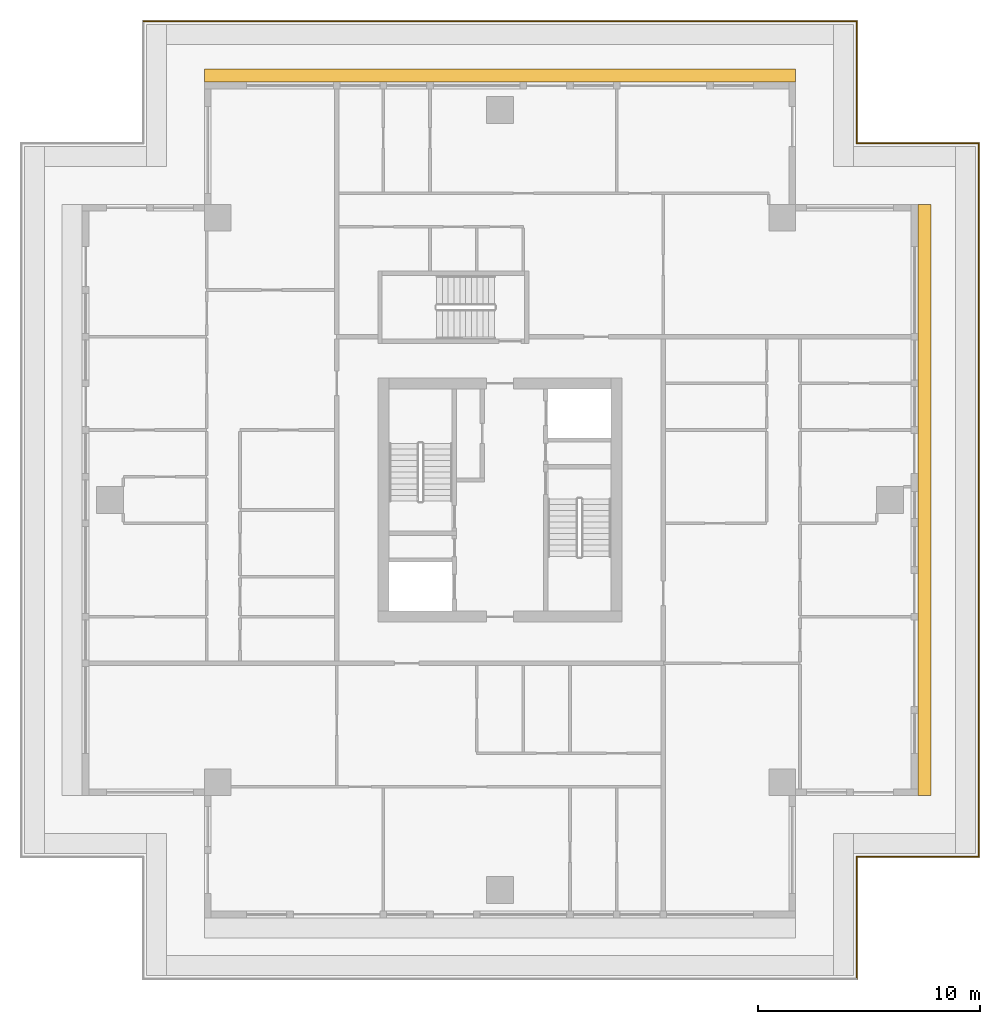
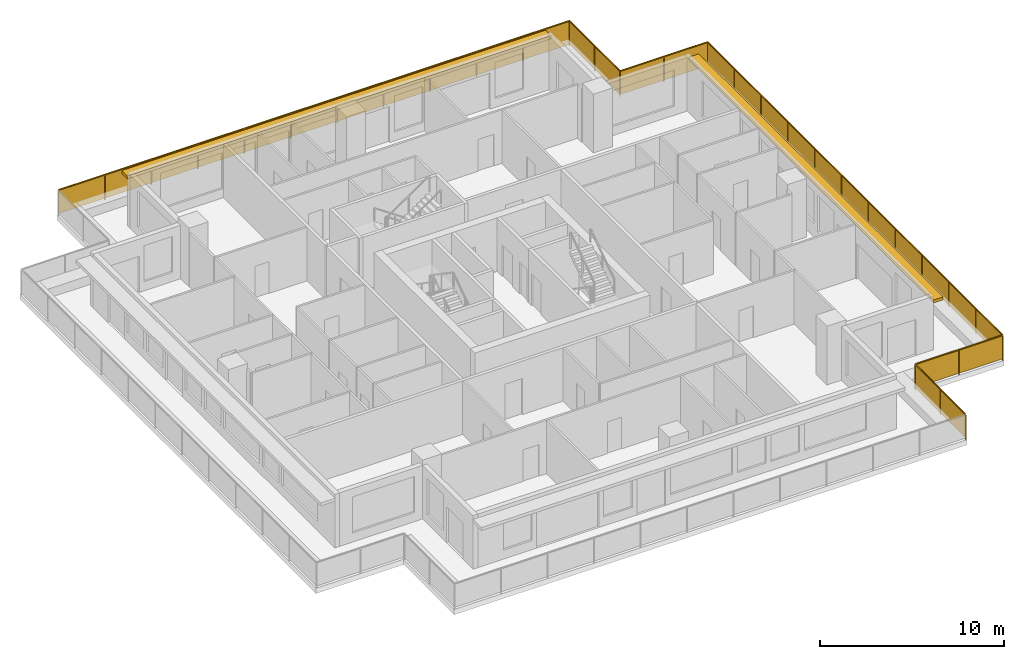
# One storey, part 10 of 10: 2 railings, 2 shading devices.
"""IFC4 building model written with IfcOpenShell, lengths in metres."""

from ifc_helpers import new_model, si_unit, direction, frame, origin, origin_2d, place, context, subcontext, project, spatial, polyline, rectangle, outline, extrude, material, layer, layer_set, type_object, element, save


model = new_model("IFC4")

# Units and contexts
model_context = context("Model", 3, precision=1e-05, world=origin(), true_north=direction((0.0, 1.0)))
body_context = subcontext(model_context, "Body", "Model", "MODEL_VIEW")
ifc_project = project(units=[si_unit("LENGTHUNIT", "METRE"), si_unit("AREAUNIT", "SQUARE_METRE"), si_unit("VOLUMEUNIT", "CUBIC_METRE"), si_unit("PLANEANGLEUNIT", "RADIAN"), si_unit("MASSUNIT", "GRAM", prefix="KILO")], contexts=[model_context])

# Site, building, storey
site_placement = place(None, origin())
site = spatial("IfcSite", under=ifc_project, at=site_placement, CompositionType="ELEMENT")
building_placement = place(site_placement, origin())
building = spatial("IfcBuilding", under=site, at=building_placement, Name="Khepri Terraces", CompositionType="ELEMENT")
storey_placement = place(building_placement, frame((0.0, 0.0, 300.60009765625)))
storey = spatial("IfcBuildingStorey", under=building, at=storey_placement, Name="L72", CompositionType="ELEMENT", Elevation=300.60009765625)

# Railings
ifc_material_1 = material(Name="Stainless steel grade 316", Category="steel")
railing_type = type_object("IfcRailingType", Name="GRD-TERR-1700", PredefinedType="GUARDRAIL", material=ifc_material_1)
railing_1_placement = place(storey_placement, frame((-16.050048828125, 21.550048828125, 0.0)))
element("IfcRailing", 1, at=railing_1_placement, inside=storey, type_object=railing_type, Name="Terrace guard L72", PredefinedType="GUARDRAIL", context=body_context, shape_type="SweptSolid", body=[
    extrude(rectangle(XDim=0.050048828125, YDim=0.06005859375, at=origin_2d()), frame((0.0, 0.0, 1.669921875), z_axis=(1.0, 0.0, 0.0), x_axis=(0.0, 1.0, 0.0)), (0.0, 0.0, 1.0), 32.10009765625),
    extrude(rectangle(XDim=2.8681640625, YDim=0.011962890625, at=origin_2d()), frame((1.458984375, 0.0, 0.10009765625), z_axis=(0.0, 0.0, 1.0), x_axis=(1.0, 0.0, 0.0)), (0.0, 0.0, 1.0), 1.539794921875),
    extrude(rectangle(XDim=2.8681640625, YDim=0.011962890625, at=origin_2d()), frame((4.377197265625, 0.0, 0.10009765625), z_axis=(0.0, 0.0, 1.0), x_axis=(1.0, 0.0, 0.0)), (0.0, 0.0, 1.0), 1.539794921875),
    extrude(rectangle(XDim=2.8681640625, YDim=0.011962890625, at=origin_2d()), frame((7.29541015625, 0.0, 0.10009765625), z_axis=(0.0, 0.0, 1.0), x_axis=(1.0, 0.0, 0.0)), (0.0, 0.0, 1.0), 1.539794921875),
    extrude(rectangle(XDim=2.8681640625, YDim=0.011962890625, at=origin_2d()), frame((10.213623046875, 0.0, 0.10009765625), z_axis=(0.0, 0.0, 1.0), x_axis=(1.0, 0.0, 0.0)), (0.0, 0.0, 1.0), 1.539794921875),
    extrude(rectangle(XDim=2.8681640625, YDim=0.011962890625, at=origin_2d()), frame((13.1318359375, 0.0, 0.10009765625), z_axis=(0.0, 0.0, 1.0), x_axis=(1.0, 0.0, 0.0)), (0.0, 0.0, 1.0), 1.539794921875),
    extrude(rectangle(XDim=2.8681640625, YDim=0.011962890625, at=origin_2d()), frame((16.050048828125, 0.0, 0.10009765625), z_axis=(0.0, 0.0, 1.0), x_axis=(1.0, 0.0, 0.0)), (0.0, 0.0, 1.0), 1.539794921875),
    extrude(rectangle(XDim=2.8681640625, YDim=0.011962890625, at=origin_2d()), frame((18.96826171875, 0.0, 0.10009765625), z_axis=(0.0, 0.0, 1.0), x_axis=(1.0, 0.0, 0.0)), (0.0, 0.0, 1.0), 1.539794921875),
    extrude(rectangle(XDim=2.8681640625, YDim=0.011962890625, at=origin_2d()), frame((21.886474609375, 0.0, 0.10009765625), z_axis=(0.0, 0.0, 1.0), x_axis=(1.0, 0.0, 0.0)), (0.0, 0.0, 1.0), 1.539794921875),
    extrude(rectangle(XDim=2.8681640625, YDim=0.011962890625, at=origin_2d()), frame((24.8046875, 0.0, 0.10009765625), z_axis=(0.0, 0.0, 1.0), x_axis=(1.0, 0.0, 0.0)), (0.0, 0.0, 1.0), 1.539794921875),
    extrude(rectangle(XDim=2.8681640625, YDim=0.011962890625, at=origin_2d()), frame((27.722900390625, 0.0, 0.10009765625), z_axis=(0.0, 0.0, 1.0), x_axis=(1.0, 0.0, 0.0)), (0.0, 0.0, 1.0), 1.539794921875),
    extrude(rectangle(XDim=2.8681640625, YDim=0.011962890625, at=origin_2d()), frame((30.64111328125, 0.0, 0.10009765625), z_axis=(0.0, 0.0, 1.0), x_axis=(1.0, 0.0, 0.0)), (0.0, 0.0, 1.0), 1.539794921875),
    extrude(rectangle(XDim=0.050048828125, YDim=0.06005859375, at=origin_2d()), frame((32.10009765625, 0.0, 1.669921875), z_axis=(0.0, -1.0, 0.0), x_axis=(1.0, 0.0, 0.0)), (0.0, 0.0, 1.0), 5.5),
    extrude(rectangle(XDim=2.699951171875, YDim=0.011962890625, at=origin_2d()), frame((32.10009765625, -1.375, 0.10009765625), z_axis=(0.0, 0.0, 1.0), x_axis=(0.0, -1.0, 0.0)), (0.0, 0.0, 1.0), 1.539794921875),
    extrude(rectangle(XDim=2.699951171875, YDim=0.011962890625, at=origin_2d()), frame((32.10009765625, -4.125, 0.10009765625), z_axis=(0.0, 0.0, 1.0), x_axis=(0.0, -1.0, 0.0)), (0.0, 0.0, 1.0), 1.539794921875),
    extrude(rectangle(XDim=0.050048828125, YDim=0.06005859375, at=origin_2d()), frame((32.10009765625, -5.5, 1.669921875), z_axis=(1.0, 0.0, 0.0), x_axis=(0.0, 1.0, 0.0)), (0.0, 0.0, 1.0), 5.5),
    extrude(rectangle(XDim=2.699951171875, YDim=0.011962890625, at=origin_2d()), frame((33.47509765625, -5.5, 0.10009765625), z_axis=(0.0, 0.0, 1.0), x_axis=(1.0, 0.0, 0.0)), (0.0, 0.0, 1.0), 1.539794921875),
    extrude(rectangle(XDim=2.699951171875, YDim=0.011962890625, at=origin_2d()), frame((36.22509765625, -5.5, 0.10009765625), z_axis=(0.0, 0.0, 1.0), x_axis=(1.0, 0.0, 0.0)), (0.0, 0.0, 1.0), 1.539794921875),
    extrude(rectangle(XDim=0.050048828125, YDim=0.050048828125, at=origin_2d()), frame((2.918212890625, 0.0, 0.0)), (0.0, 0.0, 1.0), 1.639892578125),
    extrude(rectangle(XDim=0.050048828125, YDim=0.050048828125, at=origin_2d()), frame((5.83642578125, 0.0, 0.0)), (0.0, 0.0, 1.0), 1.639892578125),
    extrude(rectangle(XDim=0.050048828125, YDim=0.050048828125, at=origin_2d()), frame((8.754638671875, 0.0, 0.0)), (0.0, 0.0, 1.0), 1.639892578125),
    extrude(rectangle(XDim=0.050048828125, YDim=0.050048828125, at=origin_2d()), frame((11.6728515625, 0.0, 0.0)), (0.0, 0.0, 1.0), 1.639892578125),
    extrude(rectangle(XDim=0.050048828125, YDim=0.050048828125, at=origin_2d()), frame((14.591064453125, 0.0, 0.0)), (0.0, 0.0, 1.0), 1.639892578125),
    extrude(rectangle(XDim=0.050048828125, YDim=0.050048828125, at=origin_2d()), frame((17.509033203125, 0.0, 0.0)), (0.0, 0.0, 1.0), 1.639892578125),
    extrude(rectangle(XDim=0.050048828125, YDim=0.050048828125, at=origin_2d()), frame((20.42724609375, 0.0, 0.0)), (0.0, 0.0, 1.0), 1.639892578125),
    extrude(rectangle(XDim=0.050048828125, YDim=0.050048828125, at=origin_2d()), frame((23.345458984375, 0.0, 0.0)), (0.0, 0.0, 1.0), 1.639892578125),
    extrude(rectangle(XDim=0.050048828125, YDim=0.050048828125, at=origin_2d()), frame((26.263671875, 0.0, 0.0)), (0.0, 0.0, 1.0), 1.639892578125),
    extrude(rectangle(XDim=0.050048828125, YDim=0.050048828125, at=origin_2d()), frame((29.181884765625, 0.0, 0.0)), (0.0, 0.0, 1.0), 1.639892578125),
    extrude(rectangle(XDim=0.050048828125, YDim=0.050048828125, at=origin_2d()), frame((32.10009765625, 0.0, 0.0)), (0.0, 0.0, 1.0), 1.639892578125),
    extrude(rectangle(XDim=0.050048828125, YDim=0.050048828125, at=origin_2d()), frame((32.10009765625, -2.75, 0.0)), (0.0, 0.0, 1.0), 1.639892578125),
    extrude(rectangle(XDim=0.050048828125, YDim=0.050048828125, at=origin_2d()), frame((32.10009765625, -5.5, 0.0)), (0.0, 0.0, 1.0), 1.639892578125),
    extrude(rectangle(XDim=0.050048828125, YDim=0.050048828125, at=origin_2d()), frame((34.85009765625, -5.5, 0.0)), (0.0, 0.0, 1.0), 1.639892578125),
    extrude(rectangle(XDim=0.050048828125, YDim=0.050048828125, at=origin_2d()), frame((37.60009765625, -5.5, 0.0)), (0.0, 0.0, 1.0), 1.639892578125),
])
railing_2_placement = place(storey_placement, frame((21.550048828125, 16.050048828125, 0.0)))
element("IfcRailing", 2, at=railing_2_placement, inside=storey, type_object=railing_type, Name="Terrace guard L72", PredefinedType="GUARDRAIL", context=body_context, shape_type="SweptSolid", body=[
    extrude(rectangle(XDim=0.050048828125, YDim=0.06005859375, at=origin_2d()), frame((0.0, 0.0, 1.669921875), z_axis=(0.0, -1.0, 0.0), x_axis=(1.0, 0.0, 0.0)), (0.0, 0.0, 1.0), 32.10009765625),
    extrude(rectangle(XDim=2.8681640625, YDim=0.011962890625, at=origin_2d()), frame((0.0, -1.458984375, 0.10009765625), z_axis=(0.0, 0.0, 1.0), x_axis=(0.0, -1.0, 0.0)), (0.0, 0.0, 1.0), 1.539794921875),
    extrude(rectangle(XDim=2.8681640625, YDim=0.011962890625, at=origin_2d()), frame((0.0, -4.377197265625, 0.10009765625), z_axis=(0.0, 0.0, 1.0), x_axis=(0.0, -1.0, 0.0)), (0.0, 0.0, 1.0), 1.539794921875),
    extrude(rectangle(XDim=2.8681640625, YDim=0.011962890625, at=origin_2d()), frame((0.0, -7.29541015625, 0.10009765625), z_axis=(0.0, 0.0, 1.0), x_axis=(0.0, -1.0, 0.0)), (0.0, 0.0, 1.0), 1.539794921875),
    extrude(rectangle(XDim=2.8681640625, YDim=0.011962890625, at=origin_2d()), frame((0.0, -10.213623046875, 0.10009765625), z_axis=(0.0, 0.0, 1.0), x_axis=(0.0, -1.0, 0.0)), (0.0, 0.0, 1.0), 1.539794921875),
    extrude(rectangle(XDim=2.8681640625, YDim=0.011962890625, at=origin_2d()), frame((0.0, -13.1318359375, 0.10009765625), z_axis=(0.0, 0.0, 1.0), x_axis=(0.0, -1.0, 0.0)), (0.0, 0.0, 1.0), 1.539794921875),
    extrude(rectangle(XDim=2.8681640625, YDim=0.011962890625, at=origin_2d()), frame((0.0, -16.050048828125, 0.10009765625), z_axis=(0.0, 0.0, 1.0), x_axis=(0.0, -1.0, 0.0)), (0.0, 0.0, 1.0), 1.539794921875),
    extrude(rectangle(XDim=2.8681640625, YDim=0.011962890625, at=origin_2d()), frame((0.0, -18.96826171875, 0.10009765625), z_axis=(0.0, 0.0, 1.0), x_axis=(0.0, -1.0, 0.0)), (0.0, 0.0, 1.0), 1.539794921875),
    extrude(rectangle(XDim=2.8681640625, YDim=0.011962890625, at=origin_2d()), frame((0.0, -21.886474609375, 0.10009765625), z_axis=(0.0, 0.0, 1.0), x_axis=(0.0, -1.0, 0.0)), (0.0, 0.0, 1.0), 1.539794921875),
    extrude(rectangle(XDim=2.8681640625, YDim=0.011962890625, at=origin_2d()), frame((0.0, -24.8046875, 0.10009765625), z_axis=(0.0, 0.0, 1.0), x_axis=(0.0, -1.0, 0.0)), (0.0, 0.0, 1.0), 1.539794921875),
    extrude(rectangle(XDim=2.8681640625, YDim=0.011962890625, at=origin_2d()), frame((0.0, -27.722900390625, 0.10009765625), z_axis=(0.0, 0.0, 1.0), x_axis=(0.0, -1.0, 0.0)), (0.0, 0.0, 1.0), 1.539794921875),
    extrude(rectangle(XDim=2.8681640625, YDim=0.011962890625, at=origin_2d()), frame((0.0, -30.64111328125, 0.10009765625), z_axis=(0.0, 0.0, 1.0), x_axis=(0.0, -1.0, 0.0)), (0.0, 0.0, 1.0), 1.539794921875),
    extrude(rectangle(XDim=0.050048828125, YDim=0.06005859375, at=origin_2d()), frame((0.0, -32.10009765625, 1.669921875), z_axis=(-1.0, 0.0, 0.0), x_axis=(0.0, -1.0, 0.0)), (0.0, 0.0, 1.0), 5.5),
    extrude(rectangle(XDim=2.699951171875, YDim=0.011962890625, at=origin_2d()), frame((-1.375, -32.10009765625, 0.10009765625), z_axis=(0.0, 0.0, 1.0), x_axis=(-1.0, 0.0, 0.0)), (0.0, 0.0, 1.0), 1.539794921875),
    extrude(rectangle(XDim=2.699951171875, YDim=0.011962890625, at=origin_2d()), frame((-4.125, -32.10009765625, 0.10009765625), z_axis=(0.0, 0.0, 1.0), x_axis=(-1.0, 0.0, 0.0)), (0.0, 0.0, 1.0), 1.539794921875),
    extrude(rectangle(XDim=0.050048828125, YDim=0.06005859375, at=origin_2d()), frame((-5.5, -32.10009765625, 1.669921875), z_axis=(0.0, -1.0, 0.0), x_axis=(1.0, 0.0, 0.0)), (0.0, 0.0, 1.0), 5.5),
    extrude(rectangle(XDim=2.699951171875, YDim=0.011962890625, at=origin_2d()), frame((-5.5, -33.47509765625, 0.10009765625), z_axis=(0.0, 0.0, 1.0), x_axis=(0.0, -1.0, 0.0)), (0.0, 0.0, 1.0), 1.539794921875),
    extrude(rectangle(XDim=2.699951171875, YDim=0.011962890625, at=origin_2d()), frame((-5.5, -36.22509765625, 0.10009765625), z_axis=(0.0, 0.0, 1.0), x_axis=(0.0, -1.0, 0.0)), (0.0, 0.0, 1.0), 1.539794921875),
    extrude(rectangle(XDim=0.050048828125, YDim=0.050048828125, at=origin_2d()), frame((0.0, -2.918212890625, 0.0)), (0.0, 0.0, 1.0), 1.639892578125),
    extrude(rectangle(XDim=0.050048828125, YDim=0.050048828125, at=origin_2d()), frame((0.0, -5.83642578125, 0.0)), (0.0, 0.0, 1.0), 1.639892578125),
    extrude(rectangle(XDim=0.050048828125, YDim=0.050048828125, at=origin_2d()), frame((0.0, -8.754638671875, 0.0)), (0.0, 0.0, 1.0), 1.639892578125),
    extrude(rectangle(XDim=0.050048828125, YDim=0.050048828125, at=origin_2d()), frame((0.0, -11.6728515625, 0.0)), (0.0, 0.0, 1.0), 1.639892578125),
    extrude(rectangle(XDim=0.050048828125, YDim=0.050048828125, at=origin_2d()), frame((0.0, -14.591064453125, 0.0)), (0.0, 0.0, 1.0), 1.639892578125),
    extrude(rectangle(XDim=0.050048828125, YDim=0.050048828125, at=origin_2d()), frame((0.0, -17.509033203125, 0.0)), (0.0, 0.0, 1.0), 1.639892578125),
    extrude(rectangle(XDim=0.050048828125, YDim=0.050048828125, at=origin_2d()), frame((0.0, -20.42724609375, 0.0)), (0.0, 0.0, 1.0), 1.639892578125),
    extrude(rectangle(XDim=0.050048828125, YDim=0.050048828125, at=origin_2d()), frame((0.0, -23.345458984375, 0.0)), (0.0, 0.0, 1.0), 1.639892578125),
    extrude(rectangle(XDim=0.050048828125, YDim=0.050048828125, at=origin_2d()), frame((0.0, -26.263671875, 0.0)), (0.0, 0.0, 1.0), 1.639892578125),
    extrude(rectangle(XDim=0.050048828125, YDim=0.050048828125, at=origin_2d()), frame((0.0, -29.181884765625, 0.0)), (0.0, 0.0, 1.0), 1.639892578125),
    extrude(rectangle(XDim=0.050048828125, YDim=0.050048828125, at=origin_2d()), frame((0.0, -32.10009765625, 0.0)), (0.0, 0.0, 1.0), 1.639892578125),
    extrude(rectangle(XDim=0.050048828125, YDim=0.050048828125, at=origin_2d()), frame((-2.75, -32.10009765625, 0.0)), (0.0, 0.0, 1.0), 1.639892578125),
    extrude(rectangle(XDim=0.050048828125, YDim=0.050048828125, at=origin_2d()), frame((-5.5, -32.10009765625, 0.0)), (0.0, 0.0, 1.0), 1.639892578125),
    extrude(rectangle(XDim=0.050048828125, YDim=0.050048828125, at=origin_2d()), frame((-5.5, -34.85009765625, 0.0)), (0.0, 0.0, 1.0), 1.639892578125),
    extrude(rectangle(XDim=0.050048828125, YDim=0.050048828125, at=origin_2d()), frame((-5.5, -37.60009765625, 0.0)), (0.0, 0.0, 1.0), 1.639892578125),
])

# Shading devices
ifc_material_2 = material(Name="Precast concrete C50/60 warm stone", Category="masonry")
ifc_layer = layer(ifc_material_2, 0.199951171875, Name="Precast concrete C50/60 warm stone", Category="masonry")
ifc_layer_set = layer_set([ifc_layer], Name="Precast concrete C50/60 warm stone")
shading_device_type = type_object("IfcShadingDeviceType", Name="SSH-BAND-STONE-200-N", PredefinedType="USERDEFINED", material=ifc_layer_set)
shading_device_1_placement = place(storey_placement, frame((0.0, 0.0, 3.099853515625)))
element("IfcShadingDevice", 3, at=shading_device_1_placement, inside=storey, type_object=shading_device_type, Name="Sunshade band L72 E", ObjectType="SUNSHADE", PredefinedType="USERDEFINED", context=body_context, shape_type="SweptSolid", body=[
    extrude(outline(polyline([(18.800048828125, 13.300048828125), (18.800048828125, -13.300048828125), (19.39990234375, -13.300048828125), (19.39990234375, 13.300048828125), (18.800048828125, 13.300048828125)])), origin(), (0.0, 0.0, 1.0), 0.199951171875),
])
shading_device_2_placement = place(storey_placement, frame((0.0, 0.0, 3.099853515625)))
element("IfcShadingDevice", 4, at=shading_device_2_placement, inside=storey, type_object=shading_device_type, Name="Sunshade band L72 N", ObjectType="SUNSHADE", PredefinedType="USERDEFINED", context=body_context, shape_type="SweptSolid", body=[
    extrude(outline(polyline([(-13.300048828125, 18.800048828125), (13.300048828125, 18.800048828125), (13.300048828125, 19.39990234375), (-13.300048828125, 19.39990234375), (-13.300048828125, 18.800048828125)])), origin(), (0.0, 0.0, 1.0), 0.199951171875),
])

save(model, "model.ifc")
